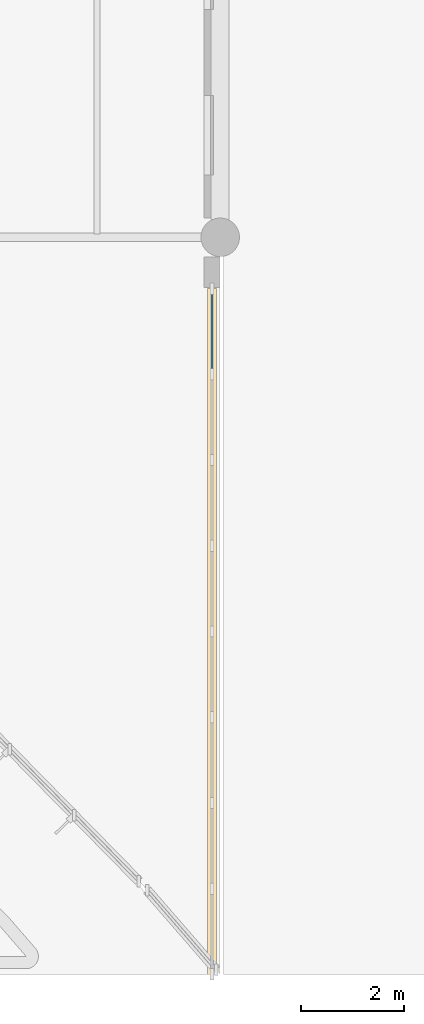
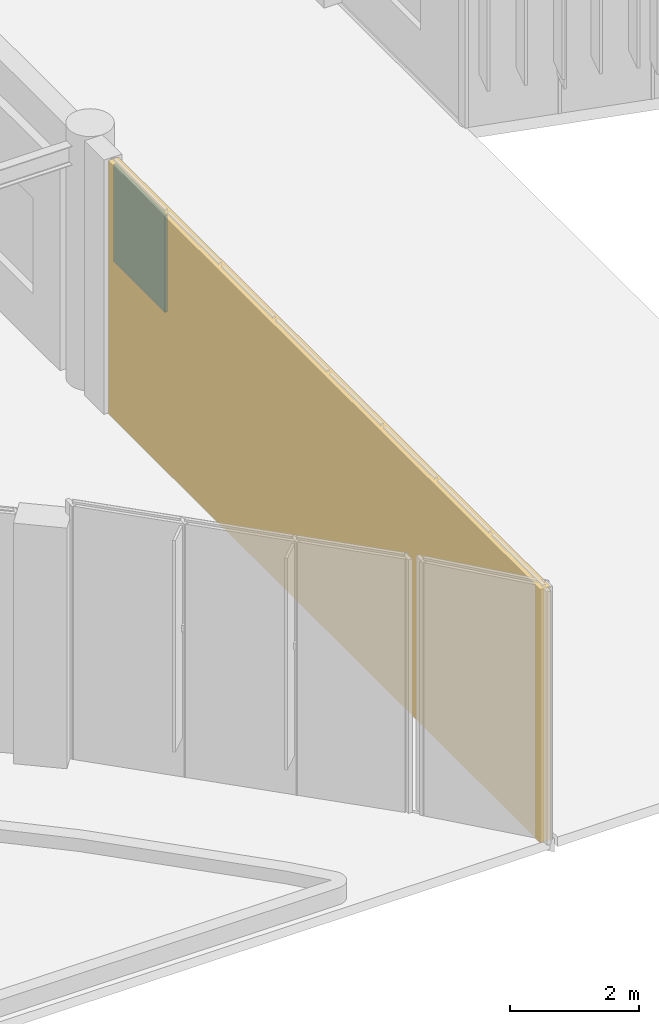
# One storey, part 81 of 122: 1 plate, plus 1 element that does not belong to this part.
"""IFC4 building model written with IfcOpenShell, lengths in metres."""

from ifc_helpers import new_model, si_unit, direction, frame, frame_2d, origin, origin_2d, place, context, subcontext, project, spatial, rectangle, extrude, material, layer, layer_set, type_object, element, aggregate, save


model = new_model("IFC4")

# Units and contexts
model_context = context("Model", 3, precision=1e-05, world=origin(), true_north=direction((0.0, 1.0)))
body_context = subcontext(model_context, "Body", "Model", "MODEL_VIEW")
ifc_project = project(units=[si_unit("LENGTHUNIT", "METRE"), si_unit("AREAUNIT", "SQUARE_METRE"), si_unit("VOLUMEUNIT", "CUBIC_METRE"), si_unit("PLANEANGLEUNIT", "RADIAN"), si_unit("MASSUNIT", "GRAM", prefix="KILO")], contexts=[model_context])

# Plate
ifc_material_1 = material(Name="Double Low-E Acoustic Laminated Glass", Category="glass")
ifc_layer = layer(ifc_material_1, 0.0439453125, Name="Double Low-E Acoustic Laminated Glass")
ifc_layer_set = layer_set([ifc_layer], Name="Double Low-E Acoustic Laminated Glass")
plate_type = type_object("IfcPlateType", Name="Acoustic Laminated Low-E Glazing Unit 44", PredefinedType="CURTAIN_PANEL", material=ifc_layer_set)
site_placement = place(None, origin())
building_placement = place(site_placement, origin())
storey_placement = place(building_placement, origin())
plate_placement = place(storey_placement, frame((116.840087890625, 13.965576171875, 2.87548828125), z_axis=(0.0, 0.0, 1.0), x_axis=(0.0, 1.0, 0.0)))
plate = element("IfcPlate", 1, at=plate_placement, type_object=plate_type, Name="Curtain Panel CWP-01 CW-V5-RET-E-L00-P08.3", PredefinedType="CURTAIN_PANEL", context=body_context, shape_type="SweptSolid", body=[
    extrude(rectangle(XDim=1.5986328125, YDim=0.0439453125, at=origin_2d()), origin(), (0.0, 0.0, 1.0), 1.83447265625),
])

# Site, building, storey
site = spatial("IfcSite", under=ifc_project, at=site_placement, CompositionType="ELEMENT")
building = spatial("IfcBuilding", under=site, at=building_placement, Name="Tazoul Stagehouse", CompositionType="ELEMENT")
storey = spatial("IfcBuildingStorey", under=building, at=storey_placement, Name="L00", CompositionType="ELEMENT", Elevation=0.0)

# Curtain wall
ifc_material_2 = material(Name="Anodised Bronze Aluminium 6063-T6", Category="aluminium")
curtain_wall_type = type_object("IfcCurtainWallType", Name="Crescent Double-Skin Acoustic Curtain Wall", PredefinedType="NOTDEFINED", material=ifc_material_2)
curtain_wall_placement = place(storey_placement, frame((116.840087890625, 1.449951171875, 0.0), z_axis=(0.0, 0.0, 1.0), x_axis=(0.0, 1.0, 0.0)))
curtain_wall = element("IfcCurtainWall", 2, at=curtain_wall_placement, inside=storey, type_object=curtain_wall_type, Name="L00 Curtain Wall CW-01 (CW-V5-RET-E-L00)", PredefinedType="NOTDEFINED", context=body_context, shape_type="SweptSolid", body=[
    extrude(rectangle(XDim=13.35009765625, YDim=0.179931640625, at=frame_2d((6.675048828125, 0.0))), origin(), (0.0, 0.0, 1.0), 4.780029296875),
])

aggregate(curtain_wall, [plate])

save(model, "model.ifc")
